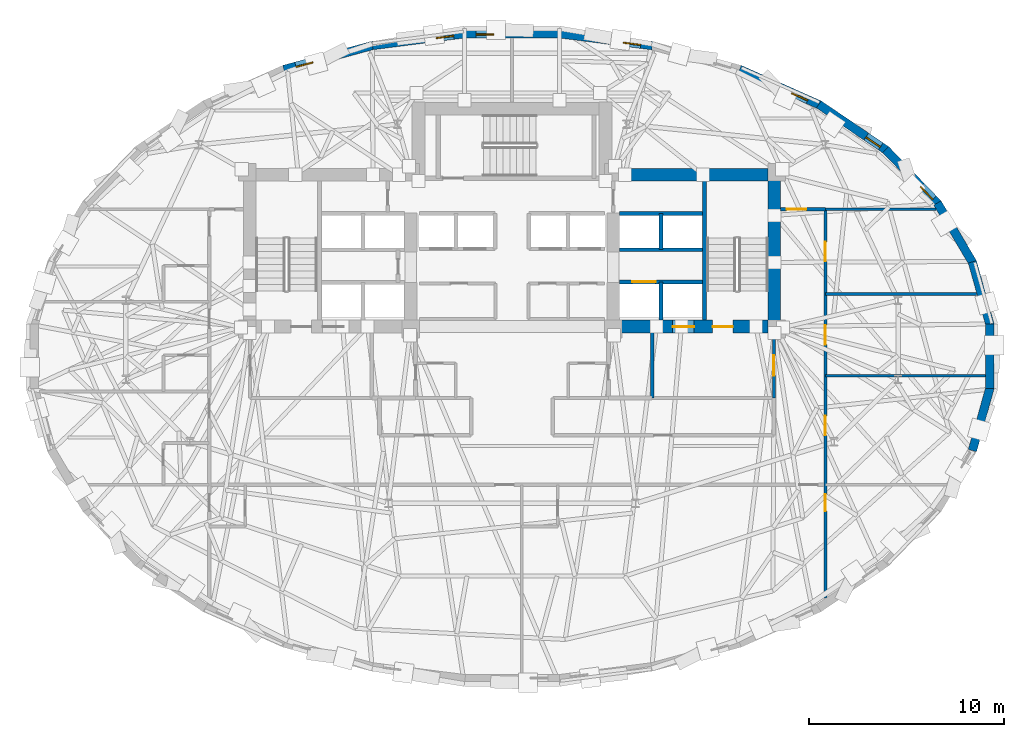
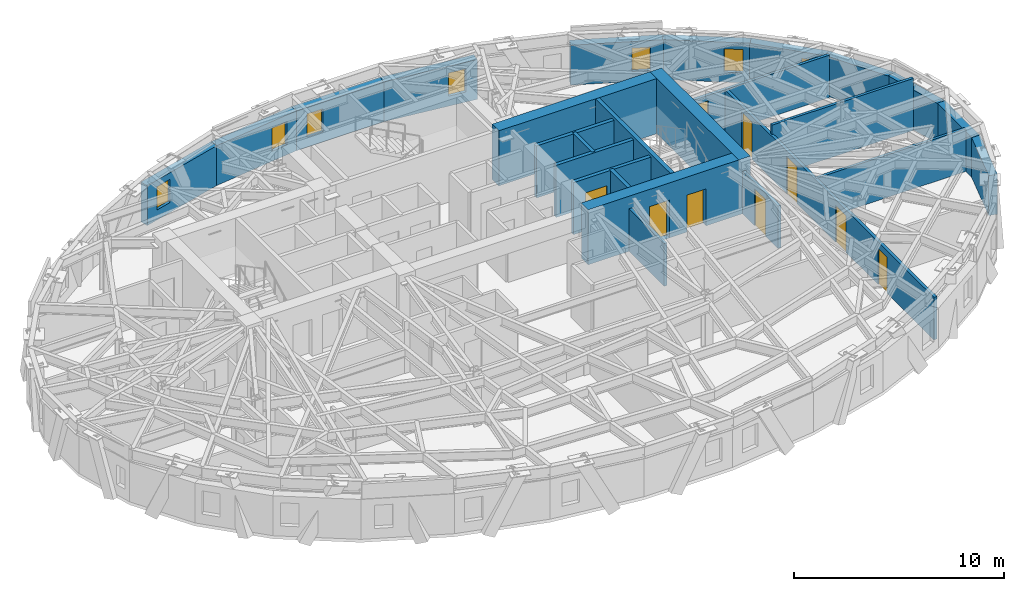
# One storey, part 9 of 14: 27 walls, 9 doors, 7 windows, 16 openings.
"""IFC4 building model written with IfcOpenShell, lengths in metres."""

import ifcopenshell
import ifcopenshell.guid

model = None  # the IFC model being written
_history = None  # IfcOwnerHistory: only IFC2X3 demands one
_inside = {}  # id of a spatial element -> (the spatial element, [elements in it])
_under = {}  # id of a project, library or spatial element -> (it, [spatial elements below it])
_declared = {}  # id of a project -> (the project, [libraries it declares])
_typed = {}  # id of a type object -> (the type object, [elements of that type])
_made_of = {}  # id of a material, layer set ... -> (it, [elements and type objects made of it])


def new_model(schema):
    """Start an empty IFC model of exactly this schema.

    Asked for "IFC4X3", IfcOpenShell would pick the latest addendum, in which some entities
    have other attributes; the version numbers below select the first issue.
    IFC2X3 requires an IfcOwnerHistory on every rooted entity: one is made here for all.
    """
    global model, _history
    if schema == "IFC4X3":
        model = ifcopenshell.file(schema_version=(4, 3, 0, 0))
    else:
        model = ifcopenshell.file(schema=schema)
    _inside.clear()
    _under.clear()
    _declared.clear()
    _typed.clear()
    _made_of.clear()
    _history = None
    if model.schema == "IFC2X3":
        org = make("IfcOrganization", Name="unknown")
        user = make(
            "IfcPersonAndOrganization",
            ThePerson=make("IfcPerson", FamilyName="unknown"),
            TheOrganization=org,
        )
        app = make(
            "IfcApplication",
            ApplicationDeveloper=org,
            Version="unknown",
            ApplicationFullName="unknown",
            ApplicationIdentifier="unknown",
        )
        _history = make(
            "IfcOwnerHistory",
            OwningUser=user,
            OwningApplication=app,
            ChangeAction="ADDED",
            CreationDate=0,
        )
    return model


def make(cls, **values):
    """One entity of the class cls with the attributes given. An attribute that is None is left unset."""
    return model.create_entity(
        cls, **{name: value for name, value in values.items() if value is not None}
    )


def rooted(cls, **values):
    """An entity with a GlobalId (a new one), such as an element, a storey or a relation."""
    return make(cls, GlobalId=ifcopenshell.guid.new(), OwnerHistory=_history, **values)


def si_unit(unit_type, name, prefix=None):
    """IfcSIUnit, for example si_unit("LENGTHUNIT", "METRE", prefix="MILLI")."""
    return make("IfcSIUnit", UnitType=unit_type, Prefix=prefix, Name=name)


def assignment(units):
    """IfcUnitAssignment: the units of a project."""
    return None if units is None else make("IfcUnitAssignment", Units=units)


def point(xyz):
    """IfcCartesianPoint."""
    return None if xyz is None else make("IfcCartesianPoint", Coordinates=xyz)


def direction(xyz):
    """IfcDirection."""
    return None if xyz is None else make("IfcDirection", DirectionRatios=xyz)


def frame(location, z_axis=None, x_axis=None):
    """IfcAxis2Placement3D, a coordinate frame: its origin and axes. An axis left out is left unset."""
    return make(
        "IfcAxis2Placement3D",
        Location=point(location),
        Axis=direction(z_axis),
        RefDirection=direction(x_axis),
    )


def frame_2d(location, x_axis=None):
    """IfcAxis2Placement2D, a coordinate frame in the plane: its origin and x axis."""
    return make(
        "IfcAxis2Placement2D", Location=point(location), RefDirection=direction(x_axis)
    )


def origin():
    """The frame at (0, 0, 0) with its axes left unset."""
    return frame((0.0, 0.0, 0.0))


def place(relative_to, where):
    """IfcLocalPlacement: puts the frame where relative to a parent placement (None: the world)."""
    return make(
        "IfcLocalPlacement", PlacementRelTo=relative_to, RelativePlacement=where
    )


def context(
    kind, dimensions, precision=None, world=None, true_north=None, identifier=None
):
    """IfcGeometricRepresentationContext, for example the 3D "Model" context."""
    return make(
        "IfcGeometricRepresentationContext",
        ContextIdentifier=identifier,
        ContextType=kind,
        CoordinateSpaceDimension=dimensions,
        Precision=precision,
        WorldCoordinateSystem=world,
        TrueNorth=true_north,
    )


def subcontext(parent, identifier, kind, view, scale=None):
    """IfcGeometricRepresentationSubContext, for example "Body" below "Model"."""
    return make(
        "IfcGeometricRepresentationSubContext",
        ContextIdentifier=identifier,
        ContextType=kind,
        ParentContext=parent,
        TargetScale=scale,
        TargetView=view,
    )


def project(units=None, contexts=None):
    """IfcProject with its units and contexts."""
    return rooted(
        "IfcProject",
        Name="project",
        RepresentationContexts=contexts,
        UnitsInContext=assignment(units),
    )


def spatial(cls, under=None, at=None, **own):
    """A site, building, storey or space (cls), placed at a placement, below another one or the project."""
    s = rooted(cls, ObjectPlacement=at, **own)
    if under is not None:
        _under.setdefault(under.id(), (under, []))[1].append(s)
    return s


def profile(cls, at=None, kind="AREA", **sizes):
    """A parametric profile (cls). Its sizes go by their IFC names, for example OverallWidth=200.0."""
    return make(cls, ProfileType=kind, Position=at, **sizes)


def rectangle(**sizes):
    """IfcRectangleProfileDef."""
    return profile("IfcRectangleProfileDef", **sizes)


def extrude(swept, where, along, depth):
    """IfcExtrudedAreaSolid: the profile swept, set in the frame where, extruded along a direction by depth."""
    return make(
        "IfcExtrudedAreaSolid",
        SweptArea=swept,
        Position=where,
        ExtrudedDirection=direction(along),
        Depth=depth,
    )


def shape(context_of_items, identifier, shape_type, items):
    """IfcShapeRepresentation: the items that make up one representation, for example the "Body"."""
    return make(
        "IfcShapeRepresentation",
        ContextOfItems=context_of_items,
        RepresentationIdentifier=identifier,
        RepresentationType=shape_type,
        Items=items,
    )


def material(Name=None, Category=None):
    """IfcMaterial."""
    return make("IfcMaterial", Name=Name, Category=Category)


def layer(
    of_material, thickness, ventilated=None, Name=None, Category=None, Priority=None
):
    """IfcMaterialLayer: one layer of a wall or slab, of a material (None: an air gap)."""
    return make(
        "IfcMaterialLayer",
        Material=of_material,
        LayerThickness=thickness,
        IsVentilated=ventilated,
        Name=Name,
        Category=Category,
        Priority=Priority,
    )


def layer_set(layers, Name=None):
    """IfcMaterialLayerSet."""
    return make("IfcMaterialLayerSet", MaterialLayers=layers, LayerSetName=Name)


def made_of(thing, what):
    """Note that an element or type object is made of a material, layer set ...; save() writes the relation."""
    if what is not None:
        _made_of.setdefault(what.id(), (what, []))[1].append(thing)
    return thing


def type_object(cls, material=None, **own):
    """A type object (cls), such as IfcWallType, which elements share."""
    return made_of(rooted(cls, **own), material)


def element(
    cls,
    number,
    at=None,
    inside=None,
    cuts=None,
    type_object=None,
    material=None,
    context=None,
    identifier="Body",
    shape_type=None,
    held_by="IfcProductDefinitionShape",
    body=None,
    shapes=None,
    **own,
):
    """One element of the class cls, such as IfcWall. Its Tag is "e" and its number.

    at: its placement. inside: the storey or other place that contains it. cuts: it is an
    opening in that element (IfcRelVoidsElement). A single representation is given by context,
    identifier, shape_type and body (its items); several are given by shapes. held_by: the class
    of the entity that holds the representations. save() writes the other relations.
    """
    e = rooted(cls, Tag="e%d" % number, ObjectPlacement=at, **own)
    if body is not None:
        shapes = [shape(context, identifier, shape_type, body)]
    if shapes is not None:
        e.Representation = make(held_by, Representations=shapes)
    if inside is not None:
        _inside.setdefault(inside.id(), (inside, []))[1].append(e)
    if cuts is not None:
        rooted(
            "IfcRelVoidsElement", RelatingBuildingElement=cuts, RelatedOpeningElement=e
        )
    if type_object is not None:
        _typed.setdefault(type_object.id(), (type_object, []))[1].append(e)
    return made_of(e, material)


def fill(opening, filler):
    """IfcRelFillsElement: the door or window that sits in an opening."""
    return rooted(
        "IfcRelFillsElement",
        RelatingOpeningElement=opening,
        RelatedBuildingElement=filler,
    )


def aggregate(whole, parts):
    """IfcRelAggregates: a whole, such as a stair, and the parts it consists of."""
    return rooted("IfcRelAggregates", RelatingObject=whole, RelatedObjects=parts)


def save(model, path):
    """Write the relations noted so far, then the file.

    IfcRelAggregates (storeys below a building ...), IfcRelContainedInSpatialStructure (elements
    in a storey), IfcRelDefinesByType, IfcRelAssociatesMaterial and IfcRelDeclares: one each for
    every whole, place, type object, material and project.
    """
    for whole, parts in _under.values():
        aggregate(whole, parts)
    for where, things in _inside.values():
        rooted(
            "IfcRelContainedInSpatialStructure",
            RelatedElements=things,
            RelatingStructure=where,
        )
    for kind, things in _typed.values():
        rooted("IfcRelDefinesByType", RelatedObjects=things, RelatingType=kind)
    for what, things in _made_of.values():
        rooted("IfcRelAssociatesMaterial", RelatedObjects=things, RelatingMaterial=what)
    for by, libraries in _declared.values():
        rooted("IfcRelDeclares", RelatingContext=by, RelatedDefinitions=libraries)
    model.write(path)


model = new_model("IFC4")

# Units and contexts
model_context = context("Model", 3, precision=1e-05, world=origin(), true_north=direction((0.0, 1.0)))
body_context = subcontext(model_context, "Body", "Model", "MODEL_VIEW")
ifc_project = project(units=[si_unit("LENGTHUNIT", "METRE"), si_unit("AREAUNIT", "SQUARE_METRE"), si_unit("VOLUMEUNIT", "CUBIC_METRE"), si_unit("PLANEANGLEUNIT", "RADIAN"), si_unit("MASSUNIT", "GRAM", prefix="KILO")], contexts=[model_context])

# Site, building, storey
site_placement = place(None, origin())
site = spatial("IfcSite", under=ifc_project, at=site_placement, CompositionType="ELEMENT")
building_placement = place(site_placement, origin())
building = spatial("IfcBuilding", under=site, at=building_placement, Name="Keldmark Tower", CompositionType="ELEMENT")
storey_placement = place(building_placement, frame((0.0, 0.0, 169.39990234375)))
storey = spatial("IfcBuildingStorey", under=building, at=storey_placement, Name="L46", CompositionType="ELEMENT", Elevation=169.39990234375)

# Wall
ifc_material_1 = material(Name="Type X Fire-Rated Gypsum Partition Assembly", Category="gypsum")
ifc_layer_1 = layer(ifc_material_1, 0.1650390625)
ifc_layer_set_1 = layer_set([ifc_layer_1], Name="Type X Fire-Rated Gypsum Partition Assembly")
wall_type_1 = type_object("IfcWallType", Name="Rated Partition 165 mm", PredefinedType="PARTITIONING", material=ifc_layer_set_1)
wall_1_placement = place(storey_placement, frame((7.199951171875, -2.14990234375, 0.0), z_axis=(0.0, 0.0, 1.0), x_axis=(0.0, 1.0, 0.0)))
element("IfcWall", 1, at=wall_1_placement, inside=storey, type_object=wall_type_1, Name="L46 Rated Partition 165 mm FSAE-E-W", PredefinedType="PARTITIONING", context=body_context, shape_type="SweptSolid", body=[
    extrude(rectangle(XDim=3.39990234375, YDim=0.1650390625, at=frame_2d((1.699951171875, 0.0))), origin(), (0.0, 0.0, 1.0), 2.47314453125),
])

# Wall, opening, door
wall_2_placement = place(storey_placement, frame((13.449951171875, -2.14990234375, 0.0), z_axis=(0.0, 0.0, 1.0), x_axis=(0.0, 1.0, 0.0)))
wall_2 = element("IfcWall", 2, at=wall_2_placement, inside=storey, type_object=wall_type_1, Name="L46 Rated Partition 165 mm FSAE-E-E", PredefinedType="PARTITIONING", context=body_context, shape_type="SweptSolid", body=[
    extrude(rectangle(XDim=3.39990234375, YDim=0.1650390625, at=frame_2d((1.699951171875, 0.0))), origin(), (0.0, 0.0, 1.0), 2.47314453125),
])
opening_1_placement = place(wall_2_placement, frame((1.14990234375, 0.0, 0.0)))
opening_1 = element("IfcOpeningElement", 3, at=opening_1_placement, cuts=wall_2, Name="Opening D-FL105", PredefinedType="OPENING", context=body_context, shape_type="SweptSolid", body=[
    extrude(rectangle(XDim=1.050048828125, YDim=2.14990234375, at=frame_2d((0.52490234375, 1.074951171875))), frame((0.0, 0.092529296875, 0.0), z_axis=(0.0, -1.0, 0.0), x_axis=(1.0, 0.0, 0.0)), (0.0, 0.0, 1.0), 0.18505859375),
])
ifc_material_2 = material(Name="Fire-Rated Mineral-Core Door and Vision Lite", Category="metal")
door_type_1 = type_object("IfcDoorType", Name="Fire Lobby Door 1050x2150", OperationType="NOTDEFINED", PredefinedType="DOOR", material=ifc_material_2)
door_1_placement = place(opening_1_placement, origin())
door_1 = element("IfcDoor", 4, at=door_1_placement, inside=storey, type_object=door_type_1, Name="L46 Fire Lobby Door 1050x2150 D-FSAEE-OUT-L46", OperationType="SINGLE_SWING_LEFT", OverallHeight=2.14990234375, OverallWidth=1.050048828125, PredefinedType="DOOR", context=body_context, shape_type="SweptSolid", body=[
    extrude(rectangle(XDim=1.050048828125, YDim=2.14990234375, at=frame_2d((0.52490234375, 1.074951171875))), frame((0.0, 0.02490234375, 0.0), z_axis=(0.0, -1.0, 0.0), x_axis=(1.0, 0.0, 0.0)), (0.0, 0.0, 1.0), 0.050048828125),
])
fill(opening_1, door_1)

# Wall, openings, doors
wall_3_placement = place(storey_placement, frame((16.10009765625, -12.426513671875, 0.0), z_axis=(0.0, 0.0, 1.0), x_axis=(0.0, 1.0, 0.0)))
wall_3 = element("IfcWall", 5, at=wall_3_placement, inside=storey, type_object=wall_type_1, Name="L46 Rated Partition 165 mm HCOR-E", PredefinedType="PARTITIONING", context=body_context, shape_type="SweptSolid", body=[
    extrude(rectangle(XDim=19.9765625, YDim=0.1650390625, at=frame_2d((9.98828125, 0.0))), origin(), (0.0, 0.0, 1.0), 2.47314453125),
])
opening_2_placement = place(wall_3_placement, frame((4.4765625, 0.0, 0.0)))
opening_2 = element("IfcOpeningElement", 6, at=opening_2_placement, cuts=wall_3, Name="Opening D-IN085", PredefinedType="OPENING", context=body_context, shape_type="SweptSolid", body=[
    extrude(rectangle(XDim=0.85009765625, YDim=2.10009765625, at=frame_2d((0.425048828125, 1.050048828125))), frame((0.0, 0.092529296875, 0.0), z_axis=(0.0, -1.0, 0.0), x_axis=(1.0, 0.0, 0.0)), (0.0, 0.0, 1.0), 0.18505859375),
])
opening_3_placement = place(wall_3_placement, frame((8.36669921875, 0.0, 0.0)))
opening_3 = element("IfcOpeningElement", 7, at=opening_3_placement, cuts=wall_3, Name="Opening D-FD100", PredefinedType="OPENING", context=body_context, shape_type="SweptSolid", body=[
    extrude(rectangle(XDim=1.0, YDim=2.14990234375, at=frame_2d((0.5, 1.074951171875))), frame((0.0, 0.092529296875, 0.0), z_axis=(0.0, -1.0, 0.0), x_axis=(1.0, 0.0, 0.0)), (0.0, 0.0, 1.0), 0.18505859375),
])
opening_4_placement = place(wall_3_placement, frame((13.026611328125, 0.0, 0.0)))
opening_4 = element("IfcOpeningElement", 8, at=opening_4_placement, cuts=wall_3, Name="Opening D-FD100", PredefinedType="OPENING", context=body_context, shape_type="SweptSolid", body=[
    extrude(rectangle(XDim=1.0, YDim=2.14990234375, at=frame_2d((0.5, 1.074951171875))), frame((0.0, 0.092529296875, 0.0), z_axis=(0.0, -1.0, 0.0), x_axis=(1.0, 0.0, 0.0)), (0.0, 0.0, 1.0), 0.18505859375),
])
opening_5_placement = place(wall_3_placement, frame((17.301513671875, 0.0, 0.0)))
opening_5 = element("IfcOpeningElement", 9, at=opening_5_placement, cuts=wall_3, Name="Opening D-FD100", PredefinedType="OPENING", context=body_context, shape_type="SweptSolid", body=[
    extrude(rectangle(XDim=1.0, YDim=2.14990234375, at=frame_2d((0.5, 1.074951171875))), frame((0.0, 0.092529296875, 0.0), z_axis=(0.0, -1.0, 0.0), x_axis=(1.0, 0.0, 0.0)), (0.0, 0.0, 1.0), 0.18505859375),
])
ifc_material_3 = material(Name="Hollow Metal Fire-Rated Corridor Door", Category="metal")
door_type_2 = type_object("IfcDoorType", Name="Fire Door 1000x2150", OperationType="NOTDEFINED", PredefinedType="DOOR", material=ifc_material_3)
door_2_placement = place(opening_3_placement, origin())
door_2 = element("IfcDoor", 10, at=door_2_placement, inside=storey, type_object=door_type_2, Name="L46 Fire Door 1000x2150 D-HESP-1-L46", OperationType="SINGLE_SWING_RIGHT", OverallHeight=2.14990234375, OverallWidth=1.0, PredefinedType="DOOR", context=body_context, shape_type="SweptSolid", body=[
    extrude(rectangle(XDim=1.0, YDim=2.14990234375, at=frame_2d((0.5, 1.074951171875))), frame((0.0, 0.02490234375, 0.0), z_axis=(0.0, -1.0, 0.0), x_axis=(1.0, 0.0, 0.0)), (0.0, 0.0, 1.0), 0.050048828125),
])
fill(opening_3, door_2)
door_3_placement = place(opening_4_placement, origin())
door_3 = element("IfcDoor", 11, at=door_3_placement, inside=storey, type_object=door_type_2, Name="L46 Fire Door 1000x2150 D-HESP-2-L46", OperationType="SINGLE_SWING_LEFT", OverallHeight=2.14990234375, OverallWidth=1.0, PredefinedType="DOOR", context=body_context, shape_type="SweptSolid", body=[
    extrude(rectangle(XDim=1.0, YDim=2.14990234375, at=frame_2d((0.5, 1.074951171875))), frame((0.0, 0.02490234375, 0.0), z_axis=(0.0, -1.0, 0.0), x_axis=(1.0, 0.0, 0.0)), (0.0, 0.0, 1.0), 0.050048828125),
])
fill(opening_4, door_3)
door_4_placement = place(opening_5_placement, origin())
door_4 = element("IfcDoor", 12, at=door_4_placement, inside=storey, type_object=door_type_2, Name="L46 Fire Door 1000x2150 D-HESP-3-L46", OperationType="SINGLE_SWING_LEFT", OverallHeight=2.14990234375, OverallWidth=1.0, PredefinedType="DOOR", context=body_context, shape_type="SweptSolid", body=[
    extrude(rectangle(XDim=1.0, YDim=2.14990234375, at=frame_2d((0.5, 1.074951171875))), frame((0.0, 0.02490234375, 0.0), z_axis=(0.0, -1.0, 0.0), x_axis=(1.0, 0.0, 0.0)), (0.0, 0.0, 1.0), 0.050048828125),
])
fill(opening_5, door_4)
ifc_material_4 = material(Name="Painted Architectural Wood", Category="wood")
door_type_3 = type_object("IfcDoorType", Name="Interior Door 850x2100", OperationType="NOTDEFINED", PredefinedType="DOOR", material=ifc_material_4)
door_5_placement = place(opening_2_placement, origin())
door_5 = element("IfcDoor", 13, at=door_5_placement, inside=storey, type_object=door_type_3, Name="L46 Interior Door 850x2100 D-HKSE-L46", OperationType="SINGLE_SWING_RIGHT", OverallHeight=2.10009765625, OverallWidth=0.85009765625, PredefinedType="DOOR", context=body_context, shape_type="SweptSolid", body=[
    extrude(rectangle(XDim=0.85009765625, YDim=2.10009765625, at=frame_2d((0.425048828125, 1.050048828125))), frame((0.0, 0.02490234375, 0.0), z_axis=(0.0, -1.0, 0.0), x_axis=(1.0, 0.0, 0.0)), (0.0, 0.0, 1.0), 0.050048828125),
])
fill(opening_2, door_5)

# Wall, opening, door
wall_4_placement = place(storey_placement, frame((13.800048828125, 7.550048828125, 0.0), z_axis=(0.0, 0.0, 1.0), x_axis=(1.0, 0.0, 0.0)))
wall_4 = element("IfcWall", 14, at=wall_4_placement, inside=storey, type_object=wall_type_1, Name="L46 Rated Partition 165 mm HCOR-EN", PredefinedType="PARTITIONING", context=body_context, shape_type="SweptSolid", body=[
    extrude(rectangle(XDim=2.300048828125, YDim=0.1650390625, at=frame_2d((1.14990234375, 0.0))), origin(), (0.0, 0.0, 1.0), 2.47314453125),
])
opening_6_placement = place(wall_4_placement, frame((0.300048828125, 0.0, 0.0)))
opening_6 = element("IfcOpeningElement", 15, at=opening_6_placement, cuts=wall_4, Name="Opening D-FD100", PredefinedType="OPENING", context=body_context, shape_type="SweptSolid", body=[
    extrude(rectangle(XDim=1.0, YDim=2.14990234375, at=frame_2d((0.5, 1.074951171875))), frame((0.0, 0.092529296875, 0.0), z_axis=(0.0, -1.0, 0.0), x_axis=(1.0, 0.0, 0.0)), (0.0, 0.0, 1.0), 0.18505859375),
])
door_6_placement = place(opening_6_placement, origin())
door_6 = element("IfcDoor", 16, at=door_6_placement, inside=storey, type_object=door_type_2, Name="L46 Fire Door 1000x2150 D-HNNE-L46", OperationType="SINGLE_SWING_RIGHT", OverallHeight=2.14990234375, OverallWidth=1.0, PredefinedType="DOOR", context=body_context, shape_type="SweptSolid", body=[
    extrude(rectangle(XDim=1.0, YDim=2.14990234375, at=frame_2d((0.5, 1.074951171875))), frame((0.0, 0.02490234375, 0.0), z_axis=(0.0, -1.0, 0.0), x_axis=(1.0, 0.0, 0.0)), (0.0, 0.0, 1.0), 0.050048828125),
])
fill(opening_6, door_6)

ifc_material_5 = material(Name="Fire-Resistant Type X Gypsum Shaftliner Coreboard", Category="gypsum")
ifc_layer_2 = layer(ifc_material_5, 0.199951171875)
ifc_layer_set_2 = layer_set([ifc_layer_2], Name="Fire-Resistant Type X Gypsum Shaftliner Coreboard")
wall_type_2 = type_object("IfcWallType", Name="Shaft Wall 200 mm", PredefinedType="SOLIDWALL", material=ifc_layer_set_2)
wall_5_placement = place(storey_placement, frame((5.52490234375, 3.820068359375, 0.0), z_axis=(0.0, 0.0, 1.0), x_axis=(1.0, 0.0, 0.0)))
wall_5 = element("IfcWall", 17, at=wall_5_placement, inside=storey, type_object=wall_type_2, Name="L46 Shaft Wall 200 mm HW-E-S", PredefinedType="SOLIDWALL", context=body_context, shape_type="SweptSolid", body=[
    extrude(rectangle(XDim=4.255126953125, YDim=0.199951171875, at=frame_2d((2.12744140625, 0.0))), origin(), (0.0, 0.0, 1.0), 3.02001953125),
])
opening_7_placement = place(wall_5_placement, frame((0.64990234375, 0.0, 0.0)))
opening_7 = element("IfcOpeningElement", 18, at=opening_7_placement, cuts=wall_5, Name="Opening LD-120", PredefinedType="OPENING", context=body_context, shape_type="SweptSolid", body=[
    extrude(rectangle(XDim=1.199951171875, YDim=2.199951171875, at=frame_2d((0.60009765625, 1.10009765625))), frame((0.0, 0.10986328125, 0.0), z_axis=(0.0, -1.0, 0.0), x_axis=(1.0, 0.0, 0.0)), (0.0, 0.0, 1.0), 0.219970703125),
])
ifc_material_6 = material(Name="Heavy-Duty Brushed Metal Hoistway Sliding Leaf", Category="metal")
door_type_4 = type_object("IfcDoorType", Name="Service Lift Sliding Door 1200x2200", OperationType="SLIDING_TO_RIGHT", PredefinedType="DOOR", material=ifc_material_6)
door_7_placement = place(opening_7_placement, origin())
door_7 = element("IfcDoor", 19, at=door_7_placement, inside=storey, type_object=door_type_4, Name="L46 Service Lift Sliding Door 1200x2200 LD-EL-SV1-L46", OperationType="SLIDING_TO_RIGHT", OverallHeight=2.199951171875, OverallWidth=1.199951171875, PredefinedType="DOOR", context=body_context, shape_type="SweptSolid", body=[
    extrude(rectangle(XDim=1.199951171875, YDim=2.199951171875, at=frame_2d((0.60009765625, 1.10009765625))), frame((0.0, 0.02490234375, 0.0), z_axis=(0.0, -1.0, 0.0), x_axis=(1.0, 0.0, 0.0)), (0.0, 0.0, 1.0), 0.050048828125),
])
fill(opening_7, door_7)

# Walls
wall_6_placement = place(storey_placement, frame((7.64990234375, 1.85009765625, 0.0), z_axis=(0.0, 0.0, 1.0), x_axis=(0.0, 1.0, 0.0)))
element("IfcWall", 20, at=wall_6_placement, inside=storey, type_object=wall_type_2, Name="L46 Shaft Wall 200 mm HW-E-M", PredefinedType="SOLIDWALL", context=body_context, shape_type="SweptSolid", body=[
    extrude(rectangle(XDim=1.969970703125, YDim=0.199951171875, at=frame_2d((0.98486328125, 0.0))), origin(), (0.0, 0.0, 1.0), 3.02001953125),
])
for number, where, z_axis, x_axis, name in (
    (21, (5.52490234375, 5.469970703125, 0.0), (0.0, 0.0, 1.0), (1.0, 0.0, 0.0), "L46 Shaft Wall 200 mm HW-E-N"),
    (22, (5.52490234375, 7.330078125, 0.0), (0.0, 0.0, 1.0), (1.0, 0.0, 0.0), "L46 Shaft Wall 200 mm HW-E-TOP"),
):
    element("IfcWall", number, at=place(storey_placement, frame(where, z_axis=z_axis, x_axis=x_axis)), inside=storey, type_object=wall_type_2, Name=name, PredefinedType="SOLIDWALL", context=body_context, shape_type="SweptSolid", body=[
        extrude(rectangle(XDim=4.255126953125, YDim=0.199951171875, at=frame_2d((2.12744140625, 0.0))), origin(), (0.0, 0.0, 1.0), 3.02001953125),
    ])
wall_7_placement = place(storey_placement, frame((7.64990234375, 5.469970703125, 0.0), z_axis=(0.0, 0.0, 1.0), x_axis=(0.0, 1.0, 0.0)))
element("IfcWall", 23, at=wall_7_placement, inside=storey, type_object=wall_type_2, Name="L46 Shaft Wall 200 mm HW-E-NM", PredefinedType="SOLIDWALL", context=body_context, shape_type="SweptSolid", body=[
    extrude(rectangle(XDim=1.860107421875, YDim=0.199951171875, at=frame_2d((0.93017578125, 0.0))), origin(), (0.0, 0.0, 1.0), 3.02001953125),
])
ifc_material_7 = material(Name="Concrete C50/60", Category="concrete")
ifc_layer_3 = layer(ifc_material_7, 0.219970703125)
ifc_layer_set_3 = layer_set([ifc_layer_3], Name="Concrete C50/60")
wall_type_3 = type_object("IfcWallType", Name="Stair Core Shear Wall 220 mm", PredefinedType="SHEAR", material=ifc_layer_set_3)
wall_8_placement = place(storey_placement, frame((9.889892578125, 1.85009765625, 0.0), z_axis=(0.0, 0.0, 1.0), x_axis=(0.0, 1.0, 0.0)))
element("IfcWall", 24, at=wall_8_placement, inside=storey, type_object=wall_type_3, Name="L46 East Stair Core Shear Wall", PredefinedType="SHEAR", context=body_context, shape_type="SweptSolid", body=[
    extrude(rectangle(XDim=7.14990234375, YDim=0.219970703125, at=frame_2d((3.574951171875, 0.0))), origin(), (0.0, 0.0, 1.0), 3.2001953125),
])
ifc_material_8 = material(Name="Ironspot Manganese Brick and Kasota Buff Limestone Spandrel Assembly", Category="masonry")
ifc_layer_4 = layer(ifc_material_8, 0.43994140625)
ifc_layer_set_4 = layer_set([ifc_layer_4], Name="Ironspot Manganese Brick and Kasota Buff Limestone Spandrel Assembly")
wall_type_4 = type_object("IfcWallType", Name="Tower Brick Pier and Spandrel Wall 440 mm", PredefinedType="STANDARD", material=ifc_layer_set_4)
wall_9_placement = place(storey_placement, frame((23.64501953125, 4.846435546875, 0.0), z_axis=(0.0, 0.0, 1.0), x_axis=(0.269235699479, -0.963074315993, 0.0)))
element("IfcWall", 25, at=wall_9_placement, inside=storey, type_object=wall_type_4, Name="L46 Exterior Brick and Spandrel Wall 01", PredefinedType="STANDARD", context=body_context, shape_type="SweptSolid", body=[
    extrude(rectangle(XDim=3.376953125, YDim=0.43994140625, at=frame_2d((1.6884765625, 0.0))), origin(), (0.0, 0.0, 1.0), 2.315185546875),
])
wall_10_placement = place(storey_placement, frame((21.847412109375, 7.87255859375, 0.0), z_axis=(0.0, 0.0, 1.0), x_axis=(0.508883387051, -0.860835465338, 0.0)))
element("IfcWall", 26, at=wall_10_placement, inside=storey, type_object=wall_type_4, Name="L46 Exterior Brick and Spandrel Wall 02", PredefinedType="STANDARD", context=body_context, shape_type="SweptSolid", body=[
    extrude(rectangle(XDim=3.57666015625, YDim=0.43994140625, at=frame_2d((1.788330078125, 0.0))), origin(), (0.0, 0.0, 1.0), 2.315185546875),
])

# Wall, opening, window
wall_11_placement = place(storey_placement, frame((19.191650390625, 10.61181640625, 0.0), z_axis=(0.0, 0.0, 1.0), x_axis=(0.694975307772, -0.719033602544, 0.0)))
wall_11 = element("IfcWall", 27, at=wall_11_placement, inside=storey, type_object=wall_type_4, Name="L46 Exterior Brick and Spandrel Wall 03", PredefinedType="STANDARD", context=body_context, shape_type="SweptSolid", body=[
    extrude(rectangle(XDim=3.866455078125, YDim=0.43994140625, at=frame_2d((1.93310546875, 0.0))), origin(), (0.0, 0.0, 1.0), 2.315185546875),
])
opening_8_placement = place(wall_11_placement, frame((2.6181640625, 0.0, 0.580078125)))
opening_8 = element("IfcOpeningElement", 28, at=opening_8_placement, cuts=wall_11, Name="Opening W-09", PredefinedType="OPENING", context=body_context, shape_type="SweptSolid", body=[
    extrude(rectangle(XDim=0.89990234375, YDim=1.35009765625, at=frame_2d((0.449951171875, 0.675048828125))), frame((0.0, 0.22998046875, 0.0), z_axis=(0.0, -1.0, 0.0), x_axis=(1.0, 0.0, 0.0)), (0.0, 0.0, 1.0), 0.4599609375),
])
ifc_material_9 = material(Name="Thermally Broken Anodized Aluminum and Triple Low-E Argon Glazing", Category="aluminium")
window_type = type_object("IfcWindowType", Name="Corner Pier Deep-Set Window 900x1350", PartitioningType="SINGLE_PANEL", PredefinedType="WINDOW", material=ifc_material_9)
window_1_placement = place(opening_8_placement, origin())
window_1 = element("IfcWindow", 29, at=window_1_placement, inside=storey, type_object=window_type, Name="L46 Deep-Set Window 03", OverallHeight=1.35009765625, OverallWidth=0.89990234375, PartitioningType="SINGLE_PANEL", PredefinedType="WINDOW", context=body_context, shape_type="SweptSolid", body=[
    extrude(rectangle(XDim=0.89990234375, YDim=1.35009765625, at=frame_2d((0.449951171875, 0.675048828125))), frame((0.0, -0.010009765625, 0.0), z_axis=(0.0, -1.0, 0.0), x_axis=(1.0, 0.0, 0.0)), (0.0, 0.0, 1.0), 0.06005859375),
])
fill(opening_8, window_1)

wall_12_placement = place(storey_placement, frame((15.756591796875, 12.9345703125, 0.0), z_axis=(0.0, 0.0, 1.0), x_axis=(0.827760762475, -0.561081206338, 0.0)))
wall_12 = element("IfcWall", 30, at=wall_12_placement, inside=storey, type_object=wall_type_4, Name="L46 Exterior Brick and Spandrel Wall 04", PredefinedType="STANDARD", context=body_context, shape_type="SweptSolid", body=[
    extrude(rectangle(XDim=4.19189453125, YDim=0.43994140625, at=frame_2d((2.095947265625, 0.0))), origin(), (0.0, 0.0, 1.0), 2.319091796875),
])
opening_9_placement = place(wall_12_placement, frame((2.9423828125, 0.0, 0.580078125)))
opening_9 = element("IfcOpeningElement", 31, at=opening_9_placement, cuts=wall_12, Name="Opening W-09", PredefinedType="OPENING", context=body_context, shape_type="SweptSolid", body=[
    extrude(rectangle(XDim=0.89990234375, YDim=1.35009765625, at=frame_2d((0.449951171875, 0.675048828125))), frame((0.0, 0.22998046875, 0.0), z_axis=(0.0, -1.0, 0.0), x_axis=(1.0, 0.0, 0.0)), (0.0, 0.0, 1.0), 0.4599609375),
])
window_2_placement = place(opening_9_placement, origin())
window_2 = element("IfcWindow", 32, at=window_2_placement, inside=storey, type_object=window_type, Name="L46 Deep-Set Window 04", OverallHeight=1.35009765625, OverallWidth=0.89990234375, PartitioningType="SINGLE_PANEL", PredefinedType="WINDOW", context=body_context, shape_type="SweptSolid", body=[
    extrude(rectangle(XDim=0.89990234375, YDim=1.35009765625, at=frame_2d((0.449951171875, 0.675048828125))), frame((0.0, -0.010009765625, 0.0), z_axis=(0.0, -1.0, 0.0), x_axis=(1.0, 0.0, 0.0)), (0.0, 0.0, 1.0), 0.06005859375),
])
fill(opening_9, window_2)

wall_13_placement = place(storey_placement, frame((11.689697265625, 14.737060546875, 0.0), z_axis=(0.0, 0.0, 1.0), x_axis=(0.913907994914, -0.405921392431, 0.0)))
wall_13 = element("IfcWall", 33, at=wall_13_placement, inside=storey, type_object=wall_type_4, Name="L46 Exterior Brick and Spandrel Wall 05", PredefinedType="STANDARD", context=body_context, shape_type="SweptSolid", body=[
    extrude(rectangle(XDim=4.4873046875, YDim=0.43994140625, at=frame_2d((2.24365234375, 0.0))), origin(), (0.0, 0.0, 1.0), 2.315185546875),
])
opening_10_placement = place(wall_13_placement, frame((2.939208984375, 0.0, 0.580078125)))
opening_10 = element("IfcOpeningElement", 34, at=opening_10_placement, cuts=wall_13, Name="Opening W-09", PredefinedType="OPENING", context=body_context, shape_type="SweptSolid", body=[
    extrude(rectangle(XDim=0.89990234375, YDim=1.35009765625, at=frame_2d((0.449951171875, 0.675048828125))), frame((0.0, 0.22998046875, 0.0), z_axis=(0.0, -1.0, 0.0), x_axis=(1.0, 0.0, 0.0)), (0.0, 0.0, 1.0), 0.4599609375),
])
window_3_placement = place(opening_10_placement, origin())
window_3 = element("IfcWindow", 35, at=window_3_placement, inside=storey, type_object=window_type, Name="L46 Deep-Set Window 05", OverallHeight=1.35009765625, OverallWidth=0.89990234375, PartitioningType="SINGLE_PANEL", PredefinedType="WINDOW", context=body_context, shape_type="SweptSolid", body=[
    extrude(rectangle(XDim=0.89990234375, YDim=1.35009765625, at=frame_2d((0.449951171875, 0.675048828125))), frame((0.0, -0.010009765625, 0.0), z_axis=(0.0, -1.0, 0.0), x_axis=(1.0, 0.0, 0.0)), (0.0, 0.0, 1.0), 0.06005859375),
])
fill(opening_10, window_3)

wall_14_placement = place(storey_placement, frame((2.4111328125, 16.56982421875, 0.0), z_axis=(0.0, 0.0, 1.0), x_axis=(0.991852910824, -0.127388395426, 0.0)))
wall_14 = element("IfcWall", 36, at=wall_14_placement, inside=storey, type_object=wall_type_4, Name="L46 Exterior Brick and Spandrel Wall 07", PredefinedType="STANDARD", context=body_context, shape_type="SweptSolid", body=[
    extrude(rectangle(XDim=4.837158203125, YDim=0.43994140625, at=frame_2d((2.41845703125, 0.0))), origin(), (0.0, 0.0, 1.0), 2.315185546875),
])
opening_11_placement = place(wall_14_placement, frame((3.338623046875, 0.0, 0.580078125)))
opening_11 = element("IfcOpeningElement", 37, at=opening_11_placement, cuts=wall_14, Name="Opening W-09", PredefinedType="OPENING", context=body_context, shape_type="SweptSolid", body=[
    extrude(rectangle(XDim=0.89990234375, YDim=1.35009765625, at=frame_2d((0.449951171875, 0.675048828125))), frame((0.0, 0.22998046875, 0.0), z_axis=(0.0, -1.0, 0.0), x_axis=(1.0, 0.0, 0.0)), (0.0, 0.0, 1.0), 0.4599609375),
])
window_4_placement = place(opening_11_placement, origin())
window_4 = element("IfcWindow", 38, at=window_4_placement, inside=storey, type_object=window_type, Name="L46 Deep-Set Window 07", OverallHeight=1.35009765625, OverallWidth=0.89990234375, PartitioningType="SINGLE_PANEL", PredefinedType="WINDOW", context=body_context, shape_type="SweptSolid", body=[
    extrude(rectangle(XDim=0.89990234375, YDim=1.35009765625, at=frame_2d((0.449951171875, 0.675048828125))), frame((0.0, -0.010009765625, 0.0), z_axis=(0.0, -1.0, 0.0), x_axis=(1.0, 0.0, 0.0)), (0.0, 0.0, 1.0), 0.06005859375),
])
fill(opening_11, window_4)

wall_15_placement = place(storey_placement, frame((-2.439208984375, 16.568115234375, 0.0), z_axis=(0.0, 0.0, 1.0), x_axis=(1.0, 0.0, 0.0)))
wall_15 = element("IfcWall", 39, at=wall_15_placement, inside=storey, type_object=wall_type_4, Name="L46 Exterior Brick and Spandrel Wall 08", PredefinedType="STANDARD", context=body_context, shape_type="SweptSolid", body=[
    extrude(rectangle(XDim=4.87841796875, YDim=0.43994140625, at=frame_2d((2.439208984375, 0.0))), origin(), (0.0, 0.0, 1.0), 2.315185546875),
])
opening_12_placement = place(wall_15_placement, frame((0.59765625, 0.0, 0.580078125)))
opening_12 = element("IfcOpeningElement", 40, at=opening_12_placement, cuts=wall_15, Name="Opening W-09", PredefinedType="OPENING", context=body_context, shape_type="SweptSolid", body=[
    extrude(rectangle(XDim=0.89990234375, YDim=1.35009765625, at=frame_2d((0.449951171875, 0.675048828125))), frame((0.0, 0.22998046875, 0.0), z_axis=(0.0, -1.0, 0.0), x_axis=(1.0, 0.0, 0.0)), (0.0, 0.0, 1.0), 0.4599609375),
])
window_5_placement = place(opening_12_placement, origin())
window_5 = element("IfcWindow", 41, at=window_5_placement, inside=storey, type_object=window_type, Name="L46 Deep-Set Window 08", OverallHeight=1.35009765625, OverallWidth=0.89990234375, PartitioningType="SINGLE_PANEL", PredefinedType="WINDOW", context=body_context, shape_type="SweptSolid", body=[
    extrude(rectangle(XDim=0.89990234375, YDim=1.35009765625, at=frame_2d((0.449951171875, 0.675048828125))), frame((0.0, -0.010009765625, 0.0), z_axis=(0.0, -1.0, 0.0), x_axis=(1.0, 0.0, 0.0)), (0.0, 0.0, 1.0), 0.06005859375),
])
fill(opening_12, window_5)

wall_16_placement = place(storey_placement, frame((-7.208984375, 15.95361328125, 0.0), z_axis=(0.0, 0.0, 1.0), x_axis=(0.991852910824, 0.127388395426, 0.0)))
wall_16 = element("IfcWall", 42, at=wall_16_placement, inside=storey, type_object=wall_type_4, Name="L46 Exterior Brick and Spandrel Wall 09", PredefinedType="STANDARD", context=body_context, shape_type="SweptSolid", body=[
    extrude(rectangle(XDim=4.837158203125, YDim=0.43994140625, at=frame_2d((2.41845703125, 0.0))), origin(), (0.0, 0.0, 1.0), 2.315185546875),
])
opening_13_placement = place(wall_16_placement, frame((3.338623046875, 0.0, 0.580078125)))
opening_13 = element("IfcOpeningElement", 43, at=opening_13_placement, cuts=wall_16, Name="Opening W-09", PredefinedType="OPENING", context=body_context, shape_type="SweptSolid", body=[
    extrude(rectangle(XDim=0.89990234375, YDim=1.35009765625, at=frame_2d((0.449951171875, 0.675048828125))), frame((0.0, 0.22998046875, 0.0), z_axis=(0.0, -1.0, 0.0), x_axis=(1.0, 0.0, 0.0)), (0.0, 0.0, 1.0), 0.4599609375),
])
window_6_placement = place(opening_13_placement, origin())
window_6 = element("IfcWindow", 44, at=window_6_placement, inside=storey, type_object=window_type, Name="L46 Deep-Set Window 09", OverallHeight=1.35009765625, OverallWidth=0.89990234375, PartitioningType="SINGLE_PANEL", PredefinedType="WINDOW", context=body_context, shape_type="SweptSolid", body=[
    extrude(rectangle(XDim=0.89990234375, YDim=1.35009765625, at=frame_2d((0.449951171875, 0.675048828125))), frame((0.0, -0.010009765625, 0.0), z_axis=(0.0, -1.0, 0.0), x_axis=(1.0, 0.0, 0.0)), (0.0, 0.0, 1.0), 0.06005859375),
])
fill(opening_13, window_6)

wall_17_placement = place(storey_placement, frame((-11.72119140625, 14.725830078125, 0.0), z_axis=(0.0, 0.0, 1.0), x_axis=(0.965037424263, 0.262112132058, 0.0)))
wall_17 = element("IfcWall", 45, at=wall_17_placement, inside=storey, type_object=wall_type_4, Name="L46 Exterior Brick and Spandrel Wall 10", PredefinedType="STANDARD", context=body_context, shape_type="SweptSolid", body=[
    extrude(rectangle(XDim=4.70654296875, YDim=0.43994140625, at=frame_2d((2.353271484375, 0.0))), origin(), (0.0, 0.0, 1.0), 2.315185546875),
])
opening_14_placement = place(wall_17_placement, frame((0.644287109375, 0.0, 0.580078125)))
opening_14 = element("IfcOpeningElement", 46, at=opening_14_placement, cuts=wall_17, Name="Opening W-09", PredefinedType="OPENING", context=body_context, shape_type="SweptSolid", body=[
    extrude(rectangle(XDim=0.89990234375, YDim=1.35009765625, at=frame_2d((0.449951171875, 0.675048828125))), frame((0.0, 0.22998046875, 0.0), z_axis=(0.0, -1.0, 0.0), x_axis=(1.0, 0.0, 0.0)), (0.0, 0.0, 1.0), 0.4599609375),
])
window_7_placement = place(opening_14_placement, origin())
window_7 = element("IfcWindow", 47, at=window_7_placement, inside=storey, type_object=window_type, Name="L46 Deep-Set Window 10", OverallHeight=1.35009765625, OverallWidth=0.89990234375, PartitioningType="SINGLE_PANEL", PredefinedType="WINDOW", context=body_context, shape_type="SweptSolid", body=[
    extrude(rectangle(XDim=0.89990234375, YDim=1.35009765625, at=frame_2d((0.449951171875, 0.675048828125))), frame((0.0, -0.010009765625, 0.0), z_axis=(0.0, -1.0, 0.0), x_axis=(1.0, 0.0, 0.0)), (0.0, 0.0, 1.0), 0.06005859375),
])
fill(opening_14, window_7)

# Walls
wall_18_placement = place(storey_placement, frame((24.55419921875, -1.59423828125, 0.0), z_axis=(0.0, 0.0, 1.0), x_axis=(-0.269235699479, -0.963074315993, 0.0)))
element("IfcWall", 48, at=wall_18_placement, inside=storey, type_object=wall_type_4, Name="L46 Exterior Brick and Spandrel Wall 31", PredefinedType="STANDARD", context=body_context, shape_type="SweptSolid", body=[
    extrude(rectangle(XDim=3.376953125, YDim=0.43994140625, at=frame_2d((1.6884765625, 0.0))), origin(), (0.0, 0.0, 1.0), 2.315185546875),
])
wall_19_placement = place(storey_placement, frame((24.5458984375, 1.653564453125, 0.0), z_axis=(0.0, 0.0, 1.0), x_axis=(0.0, -1.0, 0.0)))
element("IfcWall", 49, at=wall_19_placement, inside=storey, type_object=wall_type_4, Name="L46 Exterior Brick and Spandrel Wall 32", PredefinedType="STANDARD", context=body_context, shape_type="SweptSolid", body=[
    extrude(rectangle(XDim=3.30712890625, YDim=0.43994140625, at=frame_2d((1.653564453125, 0.0))), origin(), (0.0, 0.0, 1.0), 2.315185546875),
])
ifc_material_10 = material(Name="Concrete C50/60", Category="concrete")
ifc_layer_5 = layer(ifc_material_10, 0.64990234375)
ifc_layer_set_5 = layer_set([ifc_layer_5], Name="Concrete C50/60")
wall_type_5 = type_object("IfcWallType", Name="Upper-Mid Core Shear Wall 650 mm", PredefinedType="SHEAR", material=ifc_layer_set_5)
wall_20_placement = place(storey_placement, frame((13.47509765625, 1.199951171875, 0.0), z_axis=(0.0, 0.0, 1.0), x_axis=(0.0, 1.0, 0.0)))
element("IfcWall", 50, at=wall_20_placement, inside=storey, type_object=wall_type_5, Name="L46 East Core Outer Shear Wall", PredefinedType="SHEAR", context=body_context, shape_type="SweptSolid", body=[
    extrude(rectangle(XDim=8.449951171875, YDim=0.64990234375, at=frame_2d((4.22509765625, 0.0))), origin(), (0.0, 0.0, 1.0), 3.2001953125),
])
wall_21_placement = place(storey_placement, frame((4.47509765625, 9.324951171875, 0.0), z_axis=(0.0, 0.0, 1.0), x_axis=(1.0, 0.0, 0.0)))
element("IfcWall", 51, at=wall_21_placement, inside=storey, type_object=wall_type_5, Name="L46 East Core North Shear Wall", PredefinedType="SHEAR", context=body_context, shape_type="SweptSolid", body=[
    extrude(rectangle(XDim=9.324951171875, YDim=0.64990234375, at=frame_2d((4.66259765625, 0.0))), origin(), (0.0, 0.0, 1.0), 3.2001953125),
])

# Wall, openings, doors
wall_22_placement = place(storey_placement, frame((13.800048828125, 1.52490234375, 0.0), z_axis=(0.0, 0.0, 1.0), x_axis=(-1.0, 0.0, 0.0)))
wall_22 = element("IfcWall", 52, at=wall_22_placement, inside=storey, type_object=wall_type_5, Name="L46 East Core South Shear Wall", PredefinedType="SHEAR", context=body_context, shape_type="SweptSolid", body=[
    extrude(rectangle(XDim=8.925048828125, YDim=0.64990234375, at=frame_2d((4.46240234375, 0.0))), origin(), (0.0, 0.0, 1.0), 3.2001953125),
])
opening_15_placement = place(wall_22_placement, frame((2.449951171875, 0.0, 0.0)))
opening_15 = element("IfcOpeningElement", 53, at=opening_15_placement, cuts=wall_22, Name="Opening D-ST105", PredefinedType="OPENING", context=body_context, shape_type="SweptSolid", body=[
    extrude(rectangle(XDim=1.050048828125, YDim=2.14990234375, at=frame_2d((0.52490234375, 1.074951171875))), frame((0.0, 0.3349609375, 0.0), z_axis=(0.0, -1.0, 0.0), x_axis=(1.0, 0.0, 0.0)), (0.0, 0.0, 1.0), 0.669921875),
])
opening_16_placement = place(wall_22_placement, frame((4.449951171875, 0.0, 0.0)))
opening_16 = element("IfcOpeningElement", 54, at=opening_16_placement, cuts=wall_22, Name="Opening LD-110", PredefinedType="OPENING", context=body_context, shape_type="SweptSolid", body=[
    extrude(rectangle(XDim=1.10009765625, YDim=2.199951171875, at=frame_2d((0.550048828125, 1.10009765625))), frame((0.0, 0.3349609375, 0.0), z_axis=(0.0, -1.0, 0.0), x_axis=(1.0, 0.0, 0.0)), (0.0, 0.0, 1.0), 0.669921875),
])
ifc_material_11 = material(Name="Brushed Bronze Hoistway Sliding Leaf", Category="metal")
door_type_5 = type_object("IfcDoorType", Name="Lift Landing Sliding Door 1100x2200", OperationType="SLIDING_TO_LEFT", PredefinedType="DOOR", material=ifc_material_11)
door_8_placement = place(opening_16_placement, origin())
door_8 = element("IfcDoor", 55, at=door_8_placement, inside=storey, type_object=door_type_5, Name="L46 Lift Landing Sliding Door 1100x2200 LD-EL-FS2-L46", OperationType="SLIDING_TO_LEFT", OverallHeight=2.199951171875, OverallWidth=1.10009765625, PredefinedType="DOOR", context=body_context, shape_type="SweptSolid", body=[
    extrude(rectangle(XDim=1.10009765625, YDim=2.199951171875, at=frame_2d((0.550048828125, 1.10009765625))), frame((0.0, 0.02490234375, 0.0), z_axis=(0.0, -1.0, 0.0), x_axis=(1.0, 0.0, 0.0)), (0.0, 0.0, 1.0), 0.050048828125),
])
fill(opening_16, door_8)
ifc_material_12 = material(Name="Hollow Metal Fire-Rated Door Assembly", Category="metal")
door_type_6 = type_object("IfcDoorType", Name="Stair Fire Door 1050x2150", OperationType="NOTDEFINED", PredefinedType="DOOR", material=ifc_material_12)
door_9_placement = place(opening_15_placement, origin())
door_9 = element("IfcDoor", 56, at=door_9_placement, inside=storey, type_object=door_type_6, Name="L46 Stair Fire Door 1050x2150 D-ST2-L46", OperationType="SINGLE_SWING_LEFT", OverallHeight=2.14990234375, OverallWidth=1.050048828125, PredefinedType="DOOR", context=body_context, shape_type="SweptSolid", body=[
    extrude(rectangle(XDim=1.050048828125, YDim=2.14990234375, at=frame_2d((0.52490234375, 1.074951171875))), frame((0.0, 0.02490234375, 0.0), z_axis=(0.0, -1.0, 0.0), x_axis=(1.0, 0.0, 0.0)), (0.0, 0.0, 1.0), 0.050048828125),
])
fill(opening_15, door_9)

# Walls
ifc_material_13 = material(Name="Moisture-Resistant Gypsum Plumbing Partition", Category="gypsum")
ifc_layer_6 = layer(ifc_material_13, 0.14990234375)
ifc_layer_set_6 = layer_set([ifc_layer_6], Name="Moisture-Resistant Gypsum Plumbing Partition")
wall_type_6 = type_object("IfcWallType", Name="Wet Wall 150 mm", PredefinedType="PLUMBINGWALL", material=ifc_layer_set_6)
wall_23_placement = place(storey_placement, frame((16.10009765625, 7.550048828125, 0.0), z_axis=(0.0, 0.0, 1.0), x_axis=(1.0, 0.0, 0.0)))
element("IfcWall", 57, at=wall_23_placement, inside=storey, type_object=wall_type_6, Name="L46 Wet Wall 150 mm HE-CAP-N", PredefinedType="PLUMBINGWALL", context=body_context, shape_type="SweptSolid", body=[
    extrude(rectangle(XDim=5.673095703125, YDim=0.14990234375, at=frame_2d((2.83642578125, 0.0))), origin(), (0.0, 0.0, 1.0), 2.47314453125),
])
wall_24_placement = place(storey_placement, frame((16.10009765625, -1.0, 0.0), z_axis=(0.0, 0.0, 1.0), x_axis=(1.0, 0.0, 0.0)))
element("IfcWall", 58, at=wall_24_placement, inside=storey, type_object=wall_type_6, Name="L46 Wet Wall 150 mm HE-DIV-1", PredefinedType="PLUMBINGWALL", context=body_context, shape_type="SweptSolid", body=[
    extrude(rectangle(XDim=8.218017578125, YDim=0.14990234375, at=frame_2d((4.10888671875, 0.0))), origin(), (0.0, 0.0, 1.0), 2.47314453125),
])
wall_25_placement = place(storey_placement, frame((16.10009765625, 3.199951171875, 0.0), z_axis=(0.0, 0.0, 1.0), x_axis=(1.0, 0.0, 0.0)))
element("IfcWall", 59, at=wall_25_placement, inside=storey, type_object=wall_type_6, Name="L46 Wet Wall 150 mm HE-DIV-2", PredefinedType="PLUMBINGWALL", context=body_context, shape_type="SweptSolid", body=[
    extrude(rectangle(XDim=7.768310546875, YDim=0.14990234375, at=frame_2d((3.88427734375, 0.0))), origin(), (0.0, 0.0, 1.0), 3.02001953125),
])

save(model, "model.ifc")
